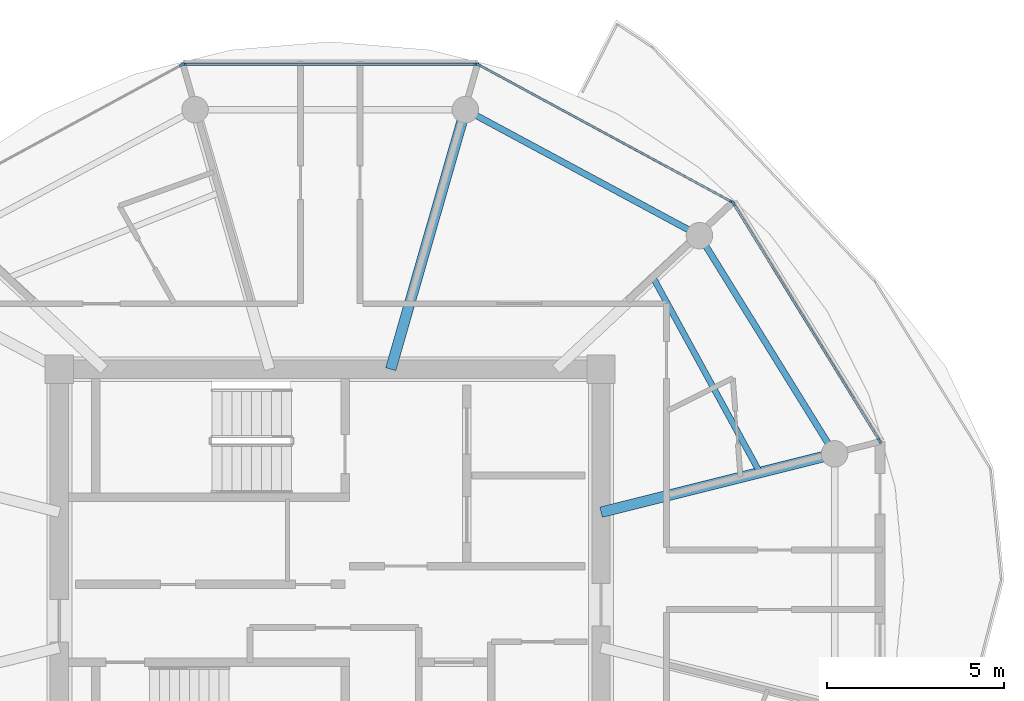
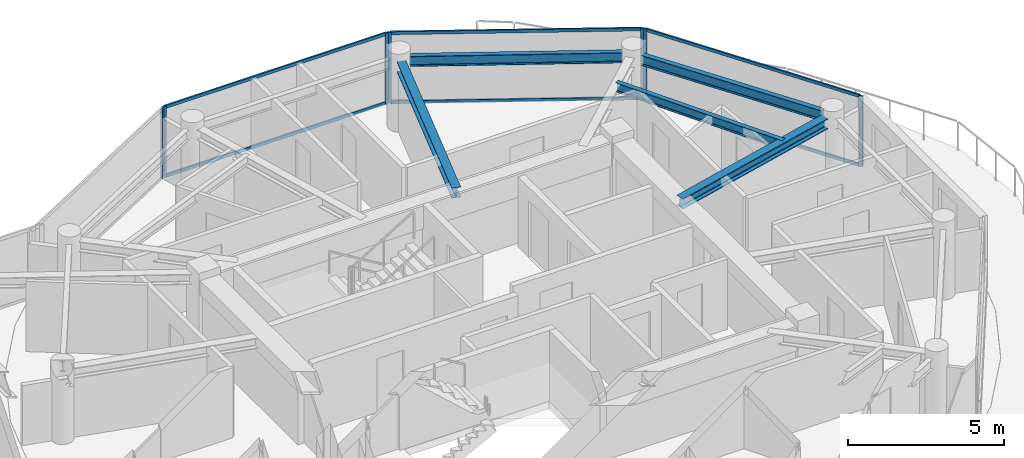
# One storey, part 11 of 24: 13 members, 5 beams, 4 elements without a shape of their own.
"""IFC4 building model written with IfcOpenShell, lengths in metres."""

import ifcopenshell
import ifcopenshell.guid

model = None  # the IFC model being written
_history = None  # IfcOwnerHistory: only IFC2X3 demands one
_inside = {}  # id of a spatial element -> (the spatial element, [elements in it])
_under = {}  # id of a project, library or spatial element -> (it, [spatial elements below it])
_declared = {}  # id of a project -> (the project, [libraries it declares])
_typed = {}  # id of a type object -> (the type object, [elements of that type])
_made_of = {}  # id of a material, layer set ... -> (it, [elements and type objects made of it])


def new_model(schema):
    """Start an empty IFC model of exactly this schema.

    Asked for "IFC4X3", IfcOpenShell would pick the latest addendum, in which some entities
    have other attributes; the version numbers below select the first issue.
    IFC2X3 requires an IfcOwnerHistory on every rooted entity: one is made here for all.
    """
    global model, _history
    if schema == "IFC4X3":
        model = ifcopenshell.file(schema_version=(4, 3, 0, 0))
    else:
        model = ifcopenshell.file(schema=schema)
    _inside.clear()
    _under.clear()
    _declared.clear()
    _typed.clear()
    _made_of.clear()
    _history = None
    if model.schema == "IFC2X3":
        org = make("IfcOrganization", Name="unknown")
        user = make(
            "IfcPersonAndOrganization",
            ThePerson=make("IfcPerson", FamilyName="unknown"),
            TheOrganization=org,
        )
        app = make(
            "IfcApplication",
            ApplicationDeveloper=org,
            Version="unknown",
            ApplicationFullName="unknown",
            ApplicationIdentifier="unknown",
        )
        _history = make(
            "IfcOwnerHistory",
            OwningUser=user,
            OwningApplication=app,
            ChangeAction="ADDED",
            CreationDate=0,
        )
    return model


def make(cls, **values):
    """One entity of the class cls with the attributes given. An attribute that is None is left unset."""
    return model.create_entity(
        cls, **{name: value for name, value in values.items() if value is not None}
    )


def rooted(cls, **values):
    """An entity with a GlobalId (a new one), such as an element, a storey or a relation."""
    return make(cls, GlobalId=ifcopenshell.guid.new(), OwnerHistory=_history, **values)


def si_unit(unit_type, name, prefix=None):
    """IfcSIUnit, for example si_unit("LENGTHUNIT", "METRE", prefix="MILLI")."""
    return make("IfcSIUnit", UnitType=unit_type, Prefix=prefix, Name=name)


def assignment(units):
    """IfcUnitAssignment: the units of a project."""
    return None if units is None else make("IfcUnitAssignment", Units=units)


def point(xyz):
    """IfcCartesianPoint."""
    return None if xyz is None else make("IfcCartesianPoint", Coordinates=xyz)


def direction(xyz):
    """IfcDirection."""
    return None if xyz is None else make("IfcDirection", DirectionRatios=xyz)


def frame(location, z_axis=None, x_axis=None):
    """IfcAxis2Placement3D, a coordinate frame: its origin and axes. An axis left out is left unset."""
    return make(
        "IfcAxis2Placement3D",
        Location=point(location),
        Axis=direction(z_axis),
        RefDirection=direction(x_axis),
    )


def frame_2d(location, x_axis=None):
    """IfcAxis2Placement2D, a coordinate frame in the plane: its origin and x axis."""
    return make(
        "IfcAxis2Placement2D", Location=point(location), RefDirection=direction(x_axis)
    )


def origin():
    """The frame at (0, 0, 0) with its axes left unset."""
    return frame((0.0, 0.0, 0.0))


def origin_2d():
    """The frame at (0, 0) in the plane with its x axis left unset."""
    return frame_2d((0.0, 0.0))


def place(relative_to, where):
    """IfcLocalPlacement: puts the frame where relative to a parent placement (None: the world)."""
    return make(
        "IfcLocalPlacement", PlacementRelTo=relative_to, RelativePlacement=where
    )


def context(
    kind, dimensions, precision=None, world=None, true_north=None, identifier=None
):
    """IfcGeometricRepresentationContext, for example the 3D "Model" context."""
    return make(
        "IfcGeometricRepresentationContext",
        ContextIdentifier=identifier,
        ContextType=kind,
        CoordinateSpaceDimension=dimensions,
        Precision=precision,
        WorldCoordinateSystem=world,
        TrueNorth=true_north,
    )


def subcontext(parent, identifier, kind, view, scale=None):
    """IfcGeometricRepresentationSubContext, for example "Body" below "Model"."""
    return make(
        "IfcGeometricRepresentationSubContext",
        ContextIdentifier=identifier,
        ContextType=kind,
        ParentContext=parent,
        TargetScale=scale,
        TargetView=view,
    )


def project(units=None, contexts=None):
    """IfcProject with its units and contexts."""
    return rooted(
        "IfcProject",
        Name="project",
        RepresentationContexts=contexts,
        UnitsInContext=assignment(units),
    )


def spatial(cls, under=None, at=None, **own):
    """A site, building, storey or space (cls), placed at a placement, below another one or the project."""
    s = rooted(cls, ObjectPlacement=at, **own)
    if under is not None:
        _under.setdefault(under.id(), (under, []))[1].append(s)
    return s


def profile(cls, at=None, kind="AREA", **sizes):
    """A parametric profile (cls). Its sizes go by their IFC names, for example OverallWidth=200.0."""
    return make(cls, ProfileType=kind, Position=at, **sizes)


def rectangle(**sizes):
    """IfcRectangleProfileDef."""
    return profile("IfcRectangleProfileDef", **sizes)


def i_section(**sizes):
    """IfcIShapeProfileDef."""
    return profile("IfcIShapeProfileDef", **sizes)


def extrude(swept, where, along, depth):
    """IfcExtrudedAreaSolid: the profile swept, set in the frame where, extruded along a direction by depth."""
    return make(
        "IfcExtrudedAreaSolid",
        SweptArea=swept,
        Position=where,
        ExtrudedDirection=direction(along),
        Depth=depth,
    )


def shape(context_of_items, identifier, shape_type, items):
    """IfcShapeRepresentation: the items that make up one representation, for example the "Body"."""
    return make(
        "IfcShapeRepresentation",
        ContextOfItems=context_of_items,
        RepresentationIdentifier=identifier,
        RepresentationType=shape_type,
        Items=items,
    )


def source(mapping_origin, context_of_items, identifier, shape_type, items):
    """IfcRepresentationMap: a shape defined once, which mapped items show again and again."""
    return make(
        "IfcRepresentationMap",
        MappingOrigin=mapping_origin,
        MappedRepresentation=shape(context_of_items, identifier, shape_type, items),
    )


def transform(
    local_origin,
    x_axis=None,
    y_axis=None,
    z_axis=None,
    scale=None,
    scale2=None,
    scale3=None,
    uniform=True,
):
    """IfcCartesianTransformationOperator3D, or its non-uniform kind. x_axis, y_axis, z_axis: its Axis1, 2, 3."""
    if uniform:
        return make(
            "IfcCartesianTransformationOperator3D",
            Axis1=direction(x_axis),
            Axis2=direction(y_axis),
            LocalOrigin=point(local_origin),
            Scale=scale,
            Axis3=direction(z_axis),
        )
    return make(
        "IfcCartesianTransformationOperator3DnonUniform",
        Axis1=direction(x_axis),
        Axis2=direction(y_axis),
        LocalOrigin=point(local_origin),
        Scale=scale,
        Axis3=direction(z_axis),
        Scale2=scale2,
        Scale3=scale3,
    )


def mapped(mapping_source, mapping_target):
    """IfcMappedItem: shows the shape of a source again, moved by a transform."""
    return make(
        "IfcMappedItem", MappingSource=mapping_source, MappingTarget=mapping_target
    )


def material(Name=None, Category=None):
    """IfcMaterial."""
    return make("IfcMaterial", Name=Name, Category=Category)


def layer(
    of_material, thickness, ventilated=None, Name=None, Category=None, Priority=None
):
    """IfcMaterialLayer: one layer of a wall or slab, of a material (None: an air gap)."""
    return make(
        "IfcMaterialLayer",
        Material=of_material,
        LayerThickness=thickness,
        IsVentilated=ventilated,
        Name=Name,
        Category=Category,
        Priority=Priority,
    )


def layer_set(layers, Name=None):
    """IfcMaterialLayerSet."""
    return make("IfcMaterialLayerSet", MaterialLayers=layers, LayerSetName=Name)


def material_profile(
    of_material, cross_section, Name=None, Category=None, Priority=None
):
    """IfcMaterialProfile: a cross section and its material."""
    return make(
        "IfcMaterialProfile",
        Name=Name,
        Material=of_material,
        Profile=cross_section,
        Priority=Priority,
        Category=Category,
    )


def profile_set(profiles, Name=None, composite=None):
    """IfcMaterialProfileSet."""
    return make(
        "IfcMaterialProfileSet",
        Name=Name,
        MaterialProfiles=profiles,
        CompositeProfile=composite,
    )


def made_of(thing, what):
    """Note that an element or type object is made of a material, layer set ...; save() writes the relation."""
    if what is not None:
        _made_of.setdefault(what.id(), (what, []))[1].append(thing)
    return thing


def type_object(cls, material=None, **own):
    """A type object (cls), such as IfcWallType, which elements share."""
    return made_of(rooted(cls, **own), material)


def type_shapes(of_type, sources):
    """Give a type object the sources (RepresentationMaps) that its elements show as mapped items."""
    of_type.RepresentationMaps = sources


def element(
    cls,
    number,
    at=None,
    inside=None,
    cuts=None,
    type_object=None,
    material=None,
    context=None,
    identifier="Body",
    shape_type=None,
    held_by="IfcProductDefinitionShape",
    body=None,
    shapes=None,
    **own,
):
    """One element of the class cls, such as IfcWall. Its Tag is "e" and its number.

    at: its placement. inside: the storey or other place that contains it. cuts: it is an
    opening in that element (IfcRelVoidsElement). A single representation is given by context,
    identifier, shape_type and body (its items); several are given by shapes. held_by: the class
    of the entity that holds the representations. save() writes the other relations.
    """
    e = rooted(cls, Tag="e%d" % number, ObjectPlacement=at, **own)
    if body is not None:
        shapes = [shape(context, identifier, shape_type, body)]
    if shapes is not None:
        e.Representation = make(held_by, Representations=shapes)
    if inside is not None:
        _inside.setdefault(inside.id(), (inside, []))[1].append(e)
    if cuts is not None:
        rooted(
            "IfcRelVoidsElement", RelatingBuildingElement=cuts, RelatedOpeningElement=e
        )
    if type_object is not None:
        _typed.setdefault(type_object.id(), (type_object, []))[1].append(e)
    return made_of(e, material)


def aggregate(whole, parts):
    """IfcRelAggregates: a whole, such as a stair, and the parts it consists of."""
    return rooted("IfcRelAggregates", RelatingObject=whole, RelatedObjects=parts)


def save(model, path):
    """Write the relations noted so far, then the file.

    IfcRelAggregates (storeys below a building ...), IfcRelContainedInSpatialStructure (elements
    in a storey), IfcRelDefinesByType, IfcRelAssociatesMaterial and IfcRelDeclares: one each for
    every whole, place, type object, material and project.
    """
    for whole, parts in _under.values():
        aggregate(whole, parts)
    for where, things in _inside.values():
        rooted(
            "IfcRelContainedInSpatialStructure",
            RelatedElements=things,
            RelatingStructure=where,
        )
    for kind, things in _typed.values():
        rooted("IfcRelDefinesByType", RelatedObjects=things, RelatingType=kind)
    for what, things in _made_of.values():
        rooted("IfcRelAssociatesMaterial", RelatedObjects=things, RelatingMaterial=what)
    for by, libraries in _declared.values():
        rooted("IfcRelDeclares", RelatingContext=by, RelatedDefinitions=libraries)
    model.write(path)


model = new_model("IFC4")

# Units and contexts
model_context = context("Model", 3, precision=1e-05, world=origin(), true_north=direction((0.0, 1.0)))
body_context = subcontext(model_context, "Body", "Model", "MODEL_VIEW")
ifc_project = project(units=[si_unit("LENGTHUNIT", "METRE"), si_unit("AREAUNIT", "SQUARE_METRE"), si_unit("VOLUMEUNIT", "CUBIC_METRE"), si_unit("PLANEANGLEUNIT", "RADIAN"), si_unit("MASSUNIT", "GRAM", prefix="KILO")], contexts=[model_context])

# Site, building, storey
site_placement = place(None, origin())
site = spatial("IfcSite", under=ifc_project, at=site_placement, CompositionType="ELEMENT")
building_placement = place(site_placement, origin())
building = spatial("IfcBuilding", under=site, at=building_placement, Name="Norrkilde Senior Care Towers", CompositionType="ELEMENT")
storey_placement = place(building_placement, frame((0.0, 0.0, 213.89990234375)))
storey = spatial("IfcBuildingStorey", under=building, at=storey_placement, Name="L66", CompositionType="ELEMENT", Elevation=213.89990234375)

# Beams
ifc_material_1 = material(Name="Steel S355", Category="steel")
ifc_material_profile_1 = material_profile(ifc_material_1, i_section(OverallWidth=0.179931640625, OverallDepth=0.39990234375, WebThickness=0.008544921875, FlangeThickness=0.013427734375, FilletRadius=0.02099609375, at=origin_2d()), Name="IPE 400")
ifc_profile_set_1 = profile_set([ifc_material_profile_1], Name="Steel S355")
beam_type_1 = type_object("IfcBeamType", Name="Perimeter Ring Spandrel Z4 IPE400", PredefinedType="SPANDREL", material=ifc_profile_set_1)
shared_shape_1 = source(origin(), body_context, "Body", "SweptSolid", [
    extrude(i_section(OverallWidth=0.179931640625, OverallDepth=0.39990234375, WebThickness=0.008544921875, FlangeThickness=0.013427734375, FilletRadius=0.02099609375, at=origin_2d()), origin(), (0.0, 0.0, 1.0), 6.58056640625),
])
beam_1_placement = place(storey_placement, frame((42.071044921875, 3.843505859375, 2.56005859375), z_axis=(-0.526529583789, 0.850156807533, 0.0), x_axis=(-0.850156807533, -0.526529583789, 0.0)))
element("IfcBeam", 1, at=beam_1_placement, inside=storey, type_object=beam_type_1, Name="L66 Drum E Perimeter Spandrel 01", PredefinedType="SPANDREL", context=body_context, shape_type="MappedRepresentation", body=[
    mapped(shared_shape_1, transform((0.0, 0.0, 0.0), x_axis=(1.0, 0.0, 0.0), y_axis=(0.0, 1.0, 0.0), z_axis=(0.0, 0.0, 1.0), scale=1.0)),
])
ifc_material_profile_2 = material_profile(ifc_material_1, i_section(OverallWidth=0.300048828125, OverallDepth=0.39990234375, WebThickness=0.013427734375, FlangeThickness=0.02392578125, FilletRadius=0.027099609375, at=origin_2d()), Name="HEB 400")
ifc_profile_set_2 = profile_set([ifc_material_profile_2], Name="Steel S355")
beam_type_2 = type_object("IfcBeamType", Name="Radial Floor Beam Z4 HEB400", PredefinedType="BEAM", material=ifc_profile_set_2)
shared_shape_2 = source(origin(), body_context, "Body", "SweptSolid", [
    extrude(i_section(OverallWidth=0.300048828125, OverallDepth=0.39990234375, WebThickness=0.013427734375, FlangeThickness=0.02392578125, FilletRadius=0.027099609375, at=origin_2d()), origin(), (0.0, 0.0, 1.0), 6.465087890625),
])
beam_2_placement = place(storey_placement, frame((35.64990234375, 1.910888671875, 2.56005859375), z_axis=(0.970195788563, 0.242322371758, 0.0), x_axis=(-0.242322371758, 0.970195788563, 0.0)))
element("IfcBeam", 2, at=beam_2_placement, inside=storey, type_object=beam_type_2, Name="L66 Drum E Radial Floor Beam 01", PredefinedType="BEAM", context=body_context, shape_type="MappedRepresentation", body=[
    mapped(shared_shape_2, transform((0.0, 0.0, 0.0), x_axis=(1.0, 0.0, 0.0), y_axis=(0.0, 1.0, 0.0), z_axis=(0.0, 0.0, 1.0), scale=1.0)),
])
shared_shape_3 = source(origin(), body_context, "Body", "SweptSolid", [
    extrude(i_section(OverallWidth=0.179931640625, OverallDepth=0.39990234375, WebThickness=0.008544921875, FlangeThickness=0.013427734375, FilletRadius=0.02099609375, at=origin_2d()), origin(), (0.0, 0.0, 1.0), 6.839111328125),
])
type_shapes(beam_type_1, [shared_shape_1, shared_shape_3])
beam_3_placement = place(storey_placement, frame((38.134765625, 9.881591796875, 2.56005859375), z_axis=(-0.880563930732, 0.473927382511, 0.0), x_axis=(-0.473927382511, -0.880563930732, 0.0)))
element("IfcBeam", 3, at=beam_3_placement, inside=storey, type_object=beam_type_1, Name="L66 Drum E Perimeter Spandrel 02", PredefinedType="SPANDREL", context=body_context, shape_type="MappedRepresentation", body=[
    mapped(shared_shape_3, transform((0.0, 0.0, 0.0), x_axis=(1.0, 0.0, 0.0), y_axis=(0.0, 1.0, 0.0), z_axis=(0.0, 0.0, 1.0), scale=1.0)),
])
shared_shape_4 = source(origin(), body_context, "Body", "SweptSolid", [
    extrude(i_section(OverallWidth=0.300048828125, OverallDepth=0.39990234375, WebThickness=0.013427734375, FlangeThickness=0.02392578125, FilletRadius=0.027099609375, at=origin_2d()), origin(), (0.0, 0.0, 1.0), 7.29345703125),
])
type_shapes(beam_type_2, [shared_shape_2, shared_shape_4])
beam_4_placement = place(storey_placement, frame((29.710205078125, 5.949951171875, 2.56005859375), z_axis=(0.276263751906, 0.961081858836, 0.0), x_axis=(-0.961081858836, 0.276263751906, 0.0)))
element("IfcBeam", 4, at=beam_4_placement, inside=storey, type_object=beam_type_2, Name="L66 Drum E Radial Floor Beam 03", PredefinedType="BEAM", context=body_context, shape_type="MappedRepresentation", body=[
    mapped(shared_shape_4, transform((0.0, 0.0, 0.0), x_axis=(1.0, 0.0, 0.0), y_axis=(0.0, 1.0, 0.0), z_axis=(0.0, 0.0, 1.0), scale=1.0)),
])
ifc_material_profile_3 = material_profile(ifc_material_1, i_section(OverallWidth=0.169921875, OverallDepth=0.360107421875, WebThickness=0.008056640625, FlangeThickness=0.0126953125, FilletRadius=0.01806640625, at=origin_2d()), Name="IPE 360")
ifc_profile_set_3 = profile_set([ifc_material_profile_3], Name="Steel S355")
beam_type_3 = type_object("IfcBeamType", Name="Secondary Floor Joist IPE360", PredefinedType="JOIST", material=ifc_profile_set_3)
shared_shape_5 = source(origin(), body_context, "Body", "SweptSolid", [
    extrude(i_section(OverallWidth=0.169921875, OverallDepth=0.360107421875, WebThickness=0.008056640625, FlangeThickness=0.0126953125, FilletRadius=0.01806640625, at=origin_2d()), origin(), (0.0, 0.0, 1.0), 6.25146484375),
])
type_shapes(beam_type_3, [shared_shape_5])
beam_5_placement = place(storey_placement, frame((40.13623046875, 3.031494140625, 2.580078125), z_axis=(-0.480115752653, 0.877205143655, 0.0), x_axis=(-0.877205143655, -0.480115752653, 0.0)))
element("IfcBeam", 5, at=beam_5_placement, inside=storey, type_object=beam_type_3, Name="L66 Drum E Secondary Floor Joist 1", PredefinedType="JOIST", context=body_context, shape_type="MappedRepresentation", body=[
    mapped(shared_shape_5, transform((0.0, 0.0, 0.0), x_axis=(1.0, 0.0, 0.0), y_axis=(0.0, 1.0, 0.0), z_axis=(0.0, 0.0, 1.0), scale=1.0)),
])

# Curtain wall, members
ifc_material_2 = material(Name="Triple Low-E Insulated Glazing", Category="glass")
ifc_layer = layer(ifc_material_2, 0.18505859375)
ifc_layer_set = layer_set([ifc_layer], Name="Triple Low-E Insulated Glazing")
curtain_wall_type = type_object("IfcCurtainWallType", Name="CW6 Zone 4 Crown Pavilion Curtain Wall", PredefinedType="NOTDEFINED", material=ifc_layer_set)
curtain_wall_1_placement = place(storey_placement, origin())
curtain_wall_1 = element("IfcCurtainWall", 6, at=curtain_wall_1_placement, inside=storey, type_object=curtain_wall_type, Name="L66 Drum E Curtain Wall 00", PredefinedType="NOTDEFINED")
ifc_material_3 = material(Name="Anodised Aluminium", Category="aluminium")
ifc_material_profile_4 = material_profile(ifc_material_3, rectangle(XDim=0.06005859375, YDim=0.1201171875, at=origin_2d()), Name="ALU TRAN 60x120")
ifc_profile_set_4 = profile_set([ifc_material_profile_4], Name="Anodised Aluminium")
member_type_1 = type_object("IfcMemberType", Name="Curtain Wall Transom Typical 60x120", PredefinedType="USERDEFINED", material=ifc_profile_set_4)
shared_shape_6 = source(origin(), body_context, "Body", "SweptSolid", [
    extrude(rectangle(XDim=0.06005859375, YDim=0.1201171875, at=origin_2d()), origin(), (0.0, 0.0, 1.0), 7.808837890625),
])
member_1_placement = place(storey_placement, frame((39.404296875, 10.60791015625, 0.030029296875), z_axis=(0.524250924101, -0.851563837055, 0.0), x_axis=(0.851563837055, 0.524250924101, 0.0)))
member_1 = element("IfcMember", 7, at=member_1_placement, type_object=member_type_1, Name="CW-6 transom 1.1", ObjectType="TRANSOM", PredefinedType="USERDEFINED", context=body_context, shape_type="MappedRepresentation", body=[
    mapped(shared_shape_6, transform((0.0, 0.0, 0.0), x_axis=(1.0, 0.0, 0.0), y_axis=(0.0, 1.0, 0.0), z_axis=(0.0, 0.0, 1.0), scale=1.0)),
])
member_2_placement = place(storey_placement, frame((39.404296875, 10.60791015625, 2.72998046875), z_axis=(0.524250924101, -0.851563837055, 0.0), x_axis=(0.851563837055, 0.524250924101, 0.0)))
member_2 = element("IfcMember", 8, at=member_2_placement, type_object=member_type_1, Name="CW-6 transom 1.2", ObjectType="TRANSOM", PredefinedType="USERDEFINED", context=body_context, shape_type="MappedRepresentation", body=[
    mapped(shared_shape_6, transform((0.0, 0.0, 0.0), x_axis=(1.0, 0.0, 0.0), y_axis=(0.0, 1.0, 0.0), z_axis=(0.0, 0.0, 1.0), scale=1.0)),
])

curtain_wall_2_placement = place(storey_placement, origin())
curtain_wall_2 = element("IfcCurtainWall", 9, at=curtain_wall_2_placement, inside=storey, type_object=curtain_wall_type, Name="L66 Drum E Curtain Wall 02", PredefinedType="NOTDEFINED")
shared_shape_7 = source(origin(), body_context, "Body", "SweptSolid", [
    extrude(rectangle(XDim=0.06005859375, YDim=0.1201171875, at=origin_2d()), origin(), (0.0, 0.0, 1.0), 8.19384765625),
])
member_3_placement = place(storey_placement, frame((23.903076171875, 14.566162109375, 0.030029296875), z_axis=(1.0, 0.0, 0.0), x_axis=(0.0, 1.0, 0.0)))
member_3 = element("IfcMember", 10, at=member_3_placement, type_object=member_type_1, Name="CW-6 transom 1.1", ObjectType="TRANSOM", PredefinedType="USERDEFINED", context=body_context, shape_type="MappedRepresentation", body=[
    mapped(shared_shape_7, transform((0.0, 0.0, 0.0), x_axis=(1.0, 0.0, 0.0), y_axis=(0.0, 1.0, 0.0), z_axis=(0.0, 0.0, 1.0), scale=1.0)),
])
member_4_placement = place(storey_placement, frame((23.903076171875, 14.566162109375, 2.72998046875), z_axis=(1.0, 0.0, 0.0), x_axis=(0.0, 1.0, 0.0)))
member_4 = element("IfcMember", 11, at=member_4_placement, type_object=member_type_1, Name="CW-6 transom 1.2", ObjectType="TRANSOM", PredefinedType="USERDEFINED", context=body_context, shape_type="MappedRepresentation", body=[
    mapped(shared_shape_7, transform((0.0, 0.0, 0.0), x_axis=(1.0, 0.0, 0.0), y_axis=(0.0, 1.0, 0.0), z_axis=(0.0, 0.0, 1.0), scale=1.0)),
])

curtain_wall_3_placement = place(storey_placement, origin())
curtain_wall_3 = element("IfcCurtainWall", 12, at=curtain_wall_3_placement, inside=storey, type_object=curtain_wall_type, Name="L66 Drum E Curtain Wall 01", PredefinedType="NOTDEFINED")
shared_shape_8 = source(origin(), body_context, "Body", "SweptSolid", [
    extrude(rectangle(XDim=0.06005859375, YDim=0.1201171875, at=origin_2d()), origin(), (0.0, 0.0, 1.0), 8.0673828125),
])
type_shapes(member_type_1, [shared_shape_6, shared_shape_7, shared_shape_8])
member_5_placement = place(storey_placement, frame((32.218994140625, 14.53515625, 0.030029296875), z_axis=(0.87937750072, -0.476125205411, 0.0), x_axis=(0.476125205411, 0.87937750072, 0.0)))
member_5 = element("IfcMember", 13, at=member_5_placement, type_object=member_type_1, Name="CW-6 transom 1.1", ObjectType="TRANSOM", PredefinedType="USERDEFINED", context=body_context, shape_type="MappedRepresentation", body=[
    mapped(shared_shape_8, transform((0.0, 0.0, 0.0), x_axis=(1.0, 0.0, 0.0), y_axis=(0.0, 1.0, 0.0), z_axis=(0.0, 0.0, 1.0), scale=1.0)),
])
member_6_placement = place(storey_placement, frame((32.218994140625, 14.53515625, 2.72998046875), z_axis=(0.87937750072, -0.476125205411, 0.0), x_axis=(0.476125205411, 0.87937750072, 0.0)))
member_6 = element("IfcMember", 14, at=member_6_placement, type_object=member_type_1, Name="CW-6 transom 1.2", ObjectType="TRANSOM", PredefinedType="USERDEFINED", context=body_context, shape_type="MappedRepresentation", body=[
    mapped(shared_shape_8, transform((0.0, 0.0, 0.0), x_axis=(1.0, 0.0, 0.0), y_axis=(0.0, 1.0, 0.0), z_axis=(0.0, 0.0, 1.0), scale=1.0)),
])

# Member
ifc_material_profile_5 = material_profile(ifc_material_3, rectangle(XDim=0.06494140625, YDim=0.14990234375, at=origin_2d()), Name="ALU MULL 65x150")
ifc_profile_set_5 = profile_set([ifc_material_profile_5], Name="Anodised Aluminium")
member_type_2 = type_object("IfcMemberType", Name="Curtain Wall Mullion Z3-Z4 65x150", PredefinedType="MULLION", material=ifc_profile_set_5)
shared_shape_9 = source(origin(), body_context, "Body", "SweptSolid", [
    extrude(rectangle(XDim=0.06494140625, YDim=0.14990234375, at=origin_2d()), origin(), (0.0, 0.0, 1.0), 2.760009765625),
])
type_shapes(member_type_2, [shared_shape_9])
member_7_placement = place(storey_placement, frame((39.38720703125, 10.635498046875, 0.0), z_axis=(0.0, 0.0, 1.0), x_axis=(0.851562727283, 0.524252726748, 0.0)))
member_7 = element("IfcMember", 15, at=member_7_placement, type_object=member_type_2, Name="CW-6 mullion 1", PredefinedType="MULLION", context=body_context, shape_type="MappedRepresentation", body=[
    mapped(shared_shape_9, transform((0.0, 0.0, 0.0), x_axis=(1.0, 0.0, 0.0), y_axis=(0.0, 1.0, 0.0), z_axis=(0.0, 0.0, 1.0), scale=1.0)),
])

member_8_placement = place(storey_placement, frame((43.51513671875, 3.9306640625, 0.0), z_axis=(0.0, 0.0, 1.0), x_axis=(0.851562727283, 0.524252726748, 0.0)))
member_8 = element("IfcMember", 16, at=member_8_placement, type_object=member_type_2, Name="CW-6 mullion 2", PredefinedType="MULLION", context=body_context, shape_type="MappedRepresentation", body=[
    mapped(shared_shape_9, transform((0.0, 0.0, 0.0), x_axis=(1.0, 0.0, 0.0), y_axis=(0.0, 1.0, 0.0), z_axis=(0.0, 0.0, 1.0), scale=1.0)),
])

aggregate(curtain_wall_1, [member_7, member_8, member_1, member_2])

member_9_placement = place(storey_placement, frame((32.1904296875, 14.55078125, 0.0), z_axis=(0.0, 0.0, 1.0), x_axis=(0.476132676136, 0.879373455772, 0.0)))
member_9 = element("IfcMember", 17, at=member_9_placement, type_object=member_type_2, Name="CW-6 mullion 1", PredefinedType="MULLION", context=body_context, shape_type="MappedRepresentation", body=[
    mapped(shared_shape_9, transform((0.0, 0.0, 0.0), x_axis=(1.0, 0.0, 0.0), y_axis=(0.0, 1.0, 0.0), z_axis=(0.0, 0.0, 1.0), scale=1.0)),
])

member_10_placement = place(storey_placement, frame((39.341796875, 10.6787109375, 0.0), z_axis=(0.0, 0.0, 1.0), x_axis=(0.476132676136, 0.879373455772, 0.0)))
member_10 = element("IfcMember", 18, at=member_10_placement, type_object=member_type_2, Name="CW-6 mullion 2", PredefinedType="MULLION", context=body_context, shape_type="MappedRepresentation", body=[
    mapped(shared_shape_9, transform((0.0, 0.0, 0.0), x_axis=(1.0, 0.0, 0.0), y_axis=(0.0, 1.0, 0.0), z_axis=(0.0, 0.0, 1.0), scale=1.0)),
])

aggregate(curtain_wall_3, [member_9, member_10, member_5, member_6])

member_11_placement = place(storey_placement, frame((23.87060546875, 14.566162109375, 0.0), z_axis=(0.0, 0.0, 1.0), x_axis=(0.0, 1.0, 0.0)))
member_11 = element("IfcMember", 19, at=member_11_placement, type_object=member_type_2, Name="CW-6 mullion 1", PredefinedType="MULLION", context=body_context, shape_type="MappedRepresentation", body=[
    mapped(shared_shape_9, transform((0.0, 0.0, 0.0), x_axis=(1.0, 0.0, 0.0), y_axis=(0.0, 1.0, 0.0), z_axis=(0.0, 0.0, 1.0), scale=1.0)),
])

member_12_placement = place(storey_placement, frame((32.12939453125, 14.566162109375, 0.0), z_axis=(0.0, 0.0, 1.0), x_axis=(0.0, 1.0, 0.0)))
member_12 = element("IfcMember", 20, at=member_12_placement, type_object=member_type_2, Name="CW-6 mullion 2", PredefinedType="MULLION", context=body_context, shape_type="MappedRepresentation", body=[
    mapped(shared_shape_9, transform((0.0, 0.0, 0.0), x_axis=(1.0, 0.0, 0.0), y_axis=(0.0, 1.0, 0.0), z_axis=(0.0, 0.0, 1.0), scale=1.0)),
])

aggregate(curtain_wall_2, [member_11, member_12, member_3, member_4])

# Curtain wall, member
curtain_wall_4_placement = place(storey_placement, origin())
curtain_wall_4 = element("IfcCurtainWall", 21, at=curtain_wall_4_placement, inside=storey, type_object=curtain_wall_type, Name="L66 Drum E Curtain Wall 03", PredefinedType="NOTDEFINED")
member_13_placement = place(storey_placement, frame((23.8095703125, 14.55078125, 0.0), z_axis=(0.0, 0.0, 1.0), x_axis=(-0.476132676136, 0.879373455772, 0.0)))
member_13 = element("IfcMember", 22, at=member_13_placement, type_object=member_type_2, Name="CW-6 mullion 2", PredefinedType="MULLION", context=body_context, shape_type="MappedRepresentation", body=[
    mapped(shared_shape_9, transform((0.0, 0.0, 0.0), x_axis=(1.0, 0.0, 0.0), y_axis=(0.0, 1.0, 0.0), z_axis=(0.0, 0.0, 1.0), scale=1.0)),
])
aggregate(curtain_wall_4, [member_13])

save(model, "model.ifc")
